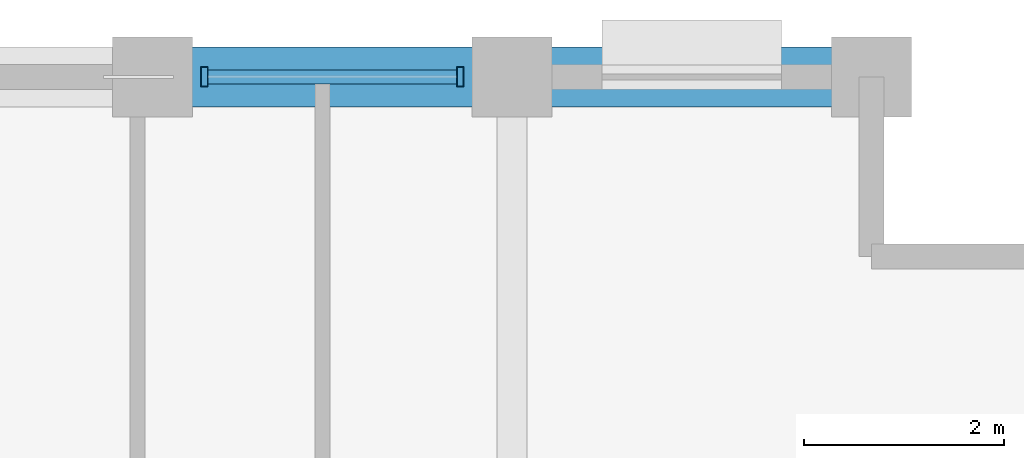
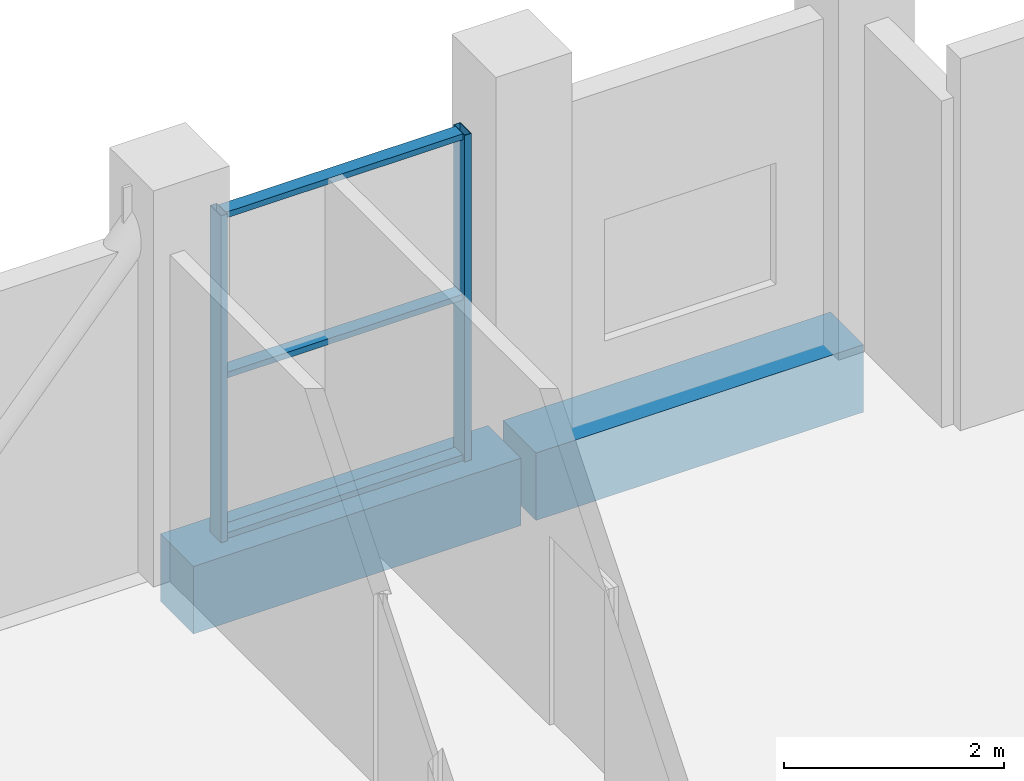
# One storey, part 12 of 18: 5 members, 2 beams, 1 element without a shape of its own.
"""IFC4 building model written with IfcOpenShell, lengths in metres."""

import ifcopenshell
import ifcopenshell.guid

model = None  # the IFC model being written
_history = None  # IfcOwnerHistory: only IFC2X3 demands one
_inside = {}  # id of a spatial element -> (the spatial element, [elements in it])
_under = {}  # id of a project, library or spatial element -> (it, [spatial elements below it])
_declared = {}  # id of a project -> (the project, [libraries it declares])
_typed = {}  # id of a type object -> (the type object, [elements of that type])
_made_of = {}  # id of a material, layer set ... -> (it, [elements and type objects made of it])


def new_model(schema):
    """Start an empty IFC model of exactly this schema.

    Asked for "IFC4X3", IfcOpenShell would pick the latest addendum, in which some entities
    have other attributes; the version numbers below select the first issue.
    IFC2X3 requires an IfcOwnerHistory on every rooted entity: one is made here for all.
    """
    global model, _history
    if schema == "IFC4X3":
        model = ifcopenshell.file(schema_version=(4, 3, 0, 0))
    else:
        model = ifcopenshell.file(schema=schema)
    _inside.clear()
    _under.clear()
    _declared.clear()
    _typed.clear()
    _made_of.clear()
    _history = None
    if model.schema == "IFC2X3":
        org = make("IfcOrganization", Name="unknown")
        user = make(
            "IfcPersonAndOrganization",
            ThePerson=make("IfcPerson", FamilyName="unknown"),
            TheOrganization=org,
        )
        app = make(
            "IfcApplication",
            ApplicationDeveloper=org,
            Version="unknown",
            ApplicationFullName="unknown",
            ApplicationIdentifier="unknown",
        )
        _history = make(
            "IfcOwnerHistory",
            OwningUser=user,
            OwningApplication=app,
            ChangeAction="ADDED",
            CreationDate=0,
        )
    return model


def make(cls, **values):
    """One entity of the class cls with the attributes given. An attribute that is None is left unset."""
    return model.create_entity(
        cls, **{name: value for name, value in values.items() if value is not None}
    )


def rooted(cls, **values):
    """An entity with a GlobalId (a new one), such as an element, a storey or a relation."""
    return make(cls, GlobalId=ifcopenshell.guid.new(), OwnerHistory=_history, **values)


def si_unit(unit_type, name, prefix=None):
    """IfcSIUnit, for example si_unit("LENGTHUNIT", "METRE", prefix="MILLI")."""
    return make("IfcSIUnit", UnitType=unit_type, Prefix=prefix, Name=name)


def assignment(units):
    """IfcUnitAssignment: the units of a project."""
    return None if units is None else make("IfcUnitAssignment", Units=units)


def point(xyz):
    """IfcCartesianPoint."""
    return None if xyz is None else make("IfcCartesianPoint", Coordinates=xyz)


def direction(xyz):
    """IfcDirection."""
    return None if xyz is None else make("IfcDirection", DirectionRatios=xyz)


def frame(location, z_axis=None, x_axis=None):
    """IfcAxis2Placement3D, a coordinate frame: its origin and axes. An axis left out is left unset."""
    return make(
        "IfcAxis2Placement3D",
        Location=point(location),
        Axis=direction(z_axis),
        RefDirection=direction(x_axis),
    )


def frame_2d(location, x_axis=None):
    """IfcAxis2Placement2D, a coordinate frame in the plane: its origin and x axis."""
    return make(
        "IfcAxis2Placement2D", Location=point(location), RefDirection=direction(x_axis)
    )


def origin():
    """The frame at (0, 0, 0) with its axes left unset."""
    return frame((0.0, 0.0, 0.0))


def origin_2d():
    """The frame at (0, 0) in the plane with its x axis left unset."""
    return frame_2d((0.0, 0.0))


def place(relative_to, where):
    """IfcLocalPlacement: puts the frame where relative to a parent placement (None: the world)."""
    return make(
        "IfcLocalPlacement", PlacementRelTo=relative_to, RelativePlacement=where
    )


def context(
    kind, dimensions, precision=None, world=None, true_north=None, identifier=None
):
    """IfcGeometricRepresentationContext, for example the 3D "Model" context."""
    return make(
        "IfcGeometricRepresentationContext",
        ContextIdentifier=identifier,
        ContextType=kind,
        CoordinateSpaceDimension=dimensions,
        Precision=precision,
        WorldCoordinateSystem=world,
        TrueNorth=true_north,
    )


def subcontext(parent, identifier, kind, view, scale=None):
    """IfcGeometricRepresentationSubContext, for example "Body" below "Model"."""
    return make(
        "IfcGeometricRepresentationSubContext",
        ContextIdentifier=identifier,
        ContextType=kind,
        ParentContext=parent,
        TargetScale=scale,
        TargetView=view,
    )


def project(units=None, contexts=None):
    """IfcProject with its units and contexts."""
    return rooted(
        "IfcProject",
        Name="project",
        RepresentationContexts=contexts,
        UnitsInContext=assignment(units),
    )


def spatial(cls, under=None, at=None, **own):
    """A site, building, storey or space (cls), placed at a placement, below another one or the project."""
    s = rooted(cls, ObjectPlacement=at, **own)
    if under is not None:
        _under.setdefault(under.id(), (under, []))[1].append(s)
    return s


def profile(cls, at=None, kind="AREA", **sizes):
    """A parametric profile (cls). Its sizes go by their IFC names, for example OverallWidth=200.0."""
    return make(cls, ProfileType=kind, Position=at, **sizes)


def rectangle(**sizes):
    """IfcRectangleProfileDef."""
    return profile("IfcRectangleProfileDef", **sizes)


def hollow_rectangle(**sizes):
    """IfcRectangleHollowProfileDef."""
    return profile("IfcRectangleHollowProfileDef", **sizes)


def extrude(swept, where, along, depth):
    """IfcExtrudedAreaSolid: the profile swept, set in the frame where, extruded along a direction by depth."""
    return make(
        "IfcExtrudedAreaSolid",
        SweptArea=swept,
        Position=where,
        ExtrudedDirection=direction(along),
        Depth=depth,
    )


def shape(context_of_items, identifier, shape_type, items):
    """IfcShapeRepresentation: the items that make up one representation, for example the "Body"."""
    return make(
        "IfcShapeRepresentation",
        ContextOfItems=context_of_items,
        RepresentationIdentifier=identifier,
        RepresentationType=shape_type,
        Items=items,
    )


def material(Name=None, Category=None):
    """IfcMaterial."""
    return make("IfcMaterial", Name=Name, Category=Category)


def layer(
    of_material, thickness, ventilated=None, Name=None, Category=None, Priority=None
):
    """IfcMaterialLayer: one layer of a wall or slab, of a material (None: an air gap)."""
    return make(
        "IfcMaterialLayer",
        Material=of_material,
        LayerThickness=thickness,
        IsVentilated=ventilated,
        Name=Name,
        Category=Category,
        Priority=Priority,
    )


def layer_set(layers, Name=None):
    """IfcMaterialLayerSet."""
    return make("IfcMaterialLayerSet", MaterialLayers=layers, LayerSetName=Name)


def material_profile(
    of_material, cross_section, Name=None, Category=None, Priority=None
):
    """IfcMaterialProfile: a cross section and its material."""
    return make(
        "IfcMaterialProfile",
        Name=Name,
        Material=of_material,
        Profile=cross_section,
        Priority=Priority,
        Category=Category,
    )


def profile_set(profiles, Name=None, composite=None):
    """IfcMaterialProfileSet."""
    return make(
        "IfcMaterialProfileSet",
        Name=Name,
        MaterialProfiles=profiles,
        CompositeProfile=composite,
    )


def made_of(thing, what):
    """Note that an element or type object is made of a material, layer set ...; save() writes the relation."""
    if what is not None:
        _made_of.setdefault(what.id(), (what, []))[1].append(thing)
    return thing


def type_object(cls, material=None, **own):
    """A type object (cls), such as IfcWallType, which elements share."""
    return made_of(rooted(cls, **own), material)


def element(
    cls,
    number,
    at=None,
    inside=None,
    cuts=None,
    type_object=None,
    material=None,
    context=None,
    identifier="Body",
    shape_type=None,
    held_by="IfcProductDefinitionShape",
    body=None,
    shapes=None,
    **own,
):
    """One element of the class cls, such as IfcWall. Its Tag is "e" and its number.

    at: its placement. inside: the storey or other place that contains it. cuts: it is an
    opening in that element (IfcRelVoidsElement). A single representation is given by context,
    identifier, shape_type and body (its items); several are given by shapes. held_by: the class
    of the entity that holds the representations. save() writes the other relations.
    """
    e = rooted(cls, Tag="e%d" % number, ObjectPlacement=at, **own)
    if body is not None:
        shapes = [shape(context, identifier, shape_type, body)]
    if shapes is not None:
        e.Representation = make(held_by, Representations=shapes)
    if inside is not None:
        _inside.setdefault(inside.id(), (inside, []))[1].append(e)
    if cuts is not None:
        rooted(
            "IfcRelVoidsElement", RelatingBuildingElement=cuts, RelatedOpeningElement=e
        )
    if type_object is not None:
        _typed.setdefault(type_object.id(), (type_object, []))[1].append(e)
    return made_of(e, material)


def aggregate(whole, parts):
    """IfcRelAggregates: a whole, such as a stair, and the parts it consists of."""
    return rooted("IfcRelAggregates", RelatingObject=whole, RelatedObjects=parts)


def save(model, path):
    """Write the relations noted so far, then the file.

    IfcRelAggregates (storeys below a building ...), IfcRelContainedInSpatialStructure (elements
    in a storey), IfcRelDefinesByType, IfcRelAssociatesMaterial and IfcRelDeclares: one each for
    every whole, place, type object, material and project.
    """
    for whole, parts in _under.values():
        aggregate(whole, parts)
    for where, things in _inside.values():
        rooted(
            "IfcRelContainedInSpatialStructure",
            RelatedElements=things,
            RelatingStructure=where,
        )
    for kind, things in _typed.values():
        rooted("IfcRelDefinesByType", RelatedObjects=things, RelatingType=kind)
    for what, things in _made_of.values():
        rooted("IfcRelAssociatesMaterial", RelatedObjects=things, RelatingMaterial=what)
    for by, libraries in _declared.values():
        rooted("IfcRelDeclares", RelatingContext=by, RelatedDefinitions=libraries)
    model.write(path)


model = new_model("IFC4")

# Units and contexts
model_context = context("Model", 3, precision=1e-05, world=origin(), true_north=direction((0.0, 1.0)))
body_context = subcontext(model_context, "Body", "Model", "MODEL_VIEW")
ifc_project = project(units=[si_unit("LENGTHUNIT", "METRE"), si_unit("AREAUNIT", "SQUARE_METRE"), si_unit("VOLUMEUNIT", "CUBIC_METRE"), si_unit("PLANEANGLEUNIT", "RADIAN"), si_unit("MASSUNIT", "GRAM", prefix="KILO")], contexts=[model_context])

# Site, building, storey
site_placement = place(None, origin())
site = spatial("IfcSite", under=ifc_project, at=site_placement, CompositionType="ELEMENT")
building_placement = place(site_placement, origin())
building = spatial("IfcBuilding", under=site, at=building_placement, Name="Solnavia Interchange Tower", CompositionType="ELEMENT")
storey_placement = place(building_placement, frame((0.0, 0.0, 295.39990234375)))
storey = spatial("IfcBuildingStorey", under=building, at=storey_placement, Name="L75", CompositionType="ELEMENT", Elevation=295.39990234375)

# Beams
ifc_material_1 = material(Name="Concrete C50/60", Category="concrete")
ifc_material_profile_1 = material_profile(ifc_material_1, rectangle(XDim=0.60009765625, YDim=0.75, at=origin_2d()), Name="RC 600x750")
ifc_profile_set_1 = profile_set([ifc_material_profile_1], Name="Concrete C50/60")
beam_type = type_object("IfcBeamType", Name="Beam-Spandrel-RC600x750", PredefinedType="SPANDREL", material=ifc_profile_set_1)
for number, where, z_axis, x_axis, name in (
    (1, (21.52001953125, 36.0, -0.375), (-1.0, 0.0, 0.0), (0.0, -1.0, 0.0), "SPB-L75-22 Framed-tube perimeter spandrel beam"),
    (2, (17.919921875, 36.0, -0.375), (-1.0, 0.0, 0.0), (0.0, -1.0, 0.0), "SPB-L75-23 Framed-tube perimeter spandrel beam"),
):
    element("IfcBeam", number, at=place(storey_placement, frame(where, z_axis=z_axis, x_axis=x_axis)), inside=storey, type_object=beam_type, Name=name, PredefinedType="SPANDREL", context=body_context, shape_type="SweptSolid", body=[
        extrude(rectangle(XDim=0.60009765625, YDim=0.75, at=origin_2d()), origin(), (0.0, 0.0, 1.0), 3.43994140625),
    ])

# Curtain wall, members
ifc_material_2 = material(Name="Aluminium Alloy 6063-T6", Category="aluminium")
ifc_layer = layer(ifc_material_2, 0.219970703125)
ifc_layer_set = layer_set([ifc_layer], Name="Aluminium Alloy 6063-T6")
curtain_wall_type = type_object("IfcCurtainWallType", Name="CurtainWall-Tower-CTW3", PredefinedType="NOTDEFINED", material=ifc_layer_set)
curtain_wall_placement = place(storey_placement, origin())
curtain_wall = element("IfcCurtainWall", 3, at=curtain_wall_placement, inside=storey, type_object=curtain_wall_type, Name="CTW-L75-S28 CTW-3 curtain wall", PredefinedType="NOTDEFINED")
ifc_material_profile_2 = material_profile(ifc_material_2, hollow_rectangle(XDim=0.070068359375, YDim=0.199951171875, WallThickness=0.0048828125, at=origin_2d()), Name="ALU 200x70x5")
ifc_profile_set_2 = profile_set([ifc_material_profile_2], Name="Aluminium Alloy 6063-T6")
member_type_1 = type_object("IfcMemberType", Name="CW-Mullion-CWM-3", PredefinedType="MULLION", material=ifc_profile_set_2)
member_1_placement = place(storey_placement, frame((17.47998046875, 36.0, 0.0), z_axis=(0.0, 0.0, 1.0), x_axis=(-1.0, 0.0, 0.0)))
member_1 = element("IfcMember", 4, at=member_1_placement, type_object=member_type_1, Name="CTW-3 mullion 1", PredefinedType="MULLION", context=body_context, shape_type="SweptSolid", body=[
    extrude(hollow_rectangle(XDim=0.070068359375, YDim=0.199951171875, WallThickness=0.0048828125, at=origin_2d()), origin(), (0.0, 0.0, 1.0), 3.630126953125),
])
member_2_placement = place(storey_placement, frame((14.919921875, 36.0, 0.0), z_axis=(0.0, 0.0, 1.0), x_axis=(-1.0, 0.0, 0.0)))
member_2 = element("IfcMember", 5, at=member_2_placement, type_object=member_type_1, Name="CTW-3 mullion 2", PredefinedType="MULLION", context=body_context, shape_type="SweptSolid", body=[
    extrude(hollow_rectangle(XDim=0.070068359375, YDim=0.199951171875, WallThickness=0.0048828125, at=origin_2d()), origin(), (0.0, 0.0, 1.0), 3.630126953125),
])
ifc_material_profile_3 = material_profile(ifc_material_2, hollow_rectangle(XDim=0.06494140625, YDim=0.139892578125, WallThickness=0.00390625, at=origin_2d()), Name="ALU 140x65x4")
ifc_profile_set_3 = profile_set([ifc_material_profile_3], Name="Aluminium Alloy 6063-T6")
member_type_2 = type_object("IfcMemberType", Name="CW-Transom-CWT-3", PredefinedType="USERDEFINED", material=ifc_profile_set_3)
member_3_placement = place(storey_placement, frame((17.445068359375, 36.0, 0.03271484375), z_axis=(-1.0, 0.0, 0.0), x_axis=(0.0, 0.0, 1.0)))
member_3 = element("IfcMember", 6, at=member_3_placement, type_object=member_type_2, Name="CTW-3 transom 1.1", ObjectType="TRANSOM", PredefinedType="USERDEFINED", context=body_context, shape_type="SweptSolid", body=[
    extrude(hollow_rectangle(XDim=0.06494140625, YDim=0.139892578125, WallThickness=0.00390625, at=origin_2d()), origin(), (0.0, 0.0, 1.0), 2.489990234375),
])
member_4_placement = place(storey_placement, frame((17.445068359375, 36.0, 1.815185546875), z_axis=(-1.0, 0.0, 0.0), x_axis=(0.0, 0.0, 1.0)))
member_4 = element("IfcMember", 7, at=member_4_placement, type_object=member_type_2, Name="CTW-3 transom 1.2", ObjectType="TRANSOM", PredefinedType="USERDEFINED", context=body_context, shape_type="SweptSolid", body=[
    extrude(hollow_rectangle(XDim=0.06494140625, YDim=0.139892578125, WallThickness=0.00390625, at=origin_2d()), origin(), (0.0, 0.0, 1.0), 2.489990234375),
])
member_5_placement = place(storey_placement, frame((17.445068359375, 36.0, 3.59765625), z_axis=(-1.0, 0.0, 0.0), x_axis=(0.0, 0.0, 1.0)))
member_5 = element("IfcMember", 8, at=member_5_placement, type_object=member_type_2, Name="CTW-3 transom 1.3", ObjectType="TRANSOM", PredefinedType="USERDEFINED", context=body_context, shape_type="SweptSolid", body=[
    extrude(hollow_rectangle(XDim=0.06494140625, YDim=0.139892578125, WallThickness=0.00390625, at=origin_2d()), origin(), (0.0, 0.0, 1.0), 2.489990234375),
])
aggregate(curtain_wall, [member_1, member_2, member_3, member_4, member_5])

save(model, "model.ifc")
